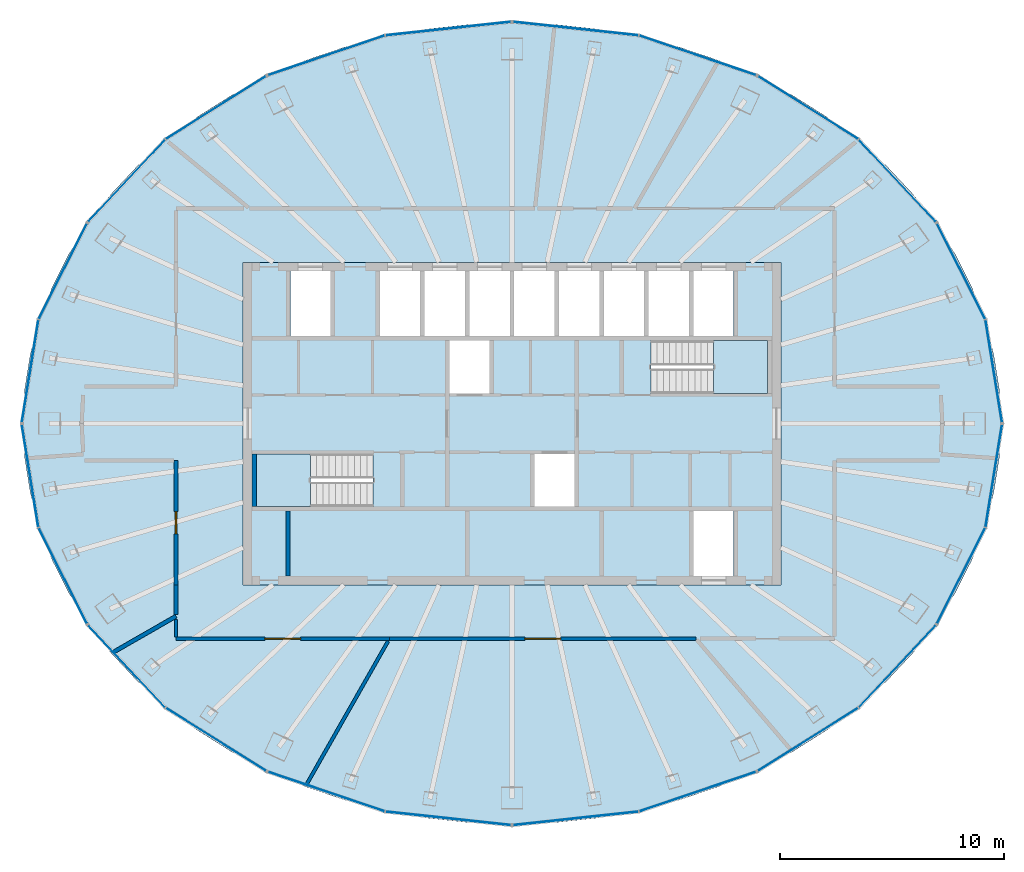
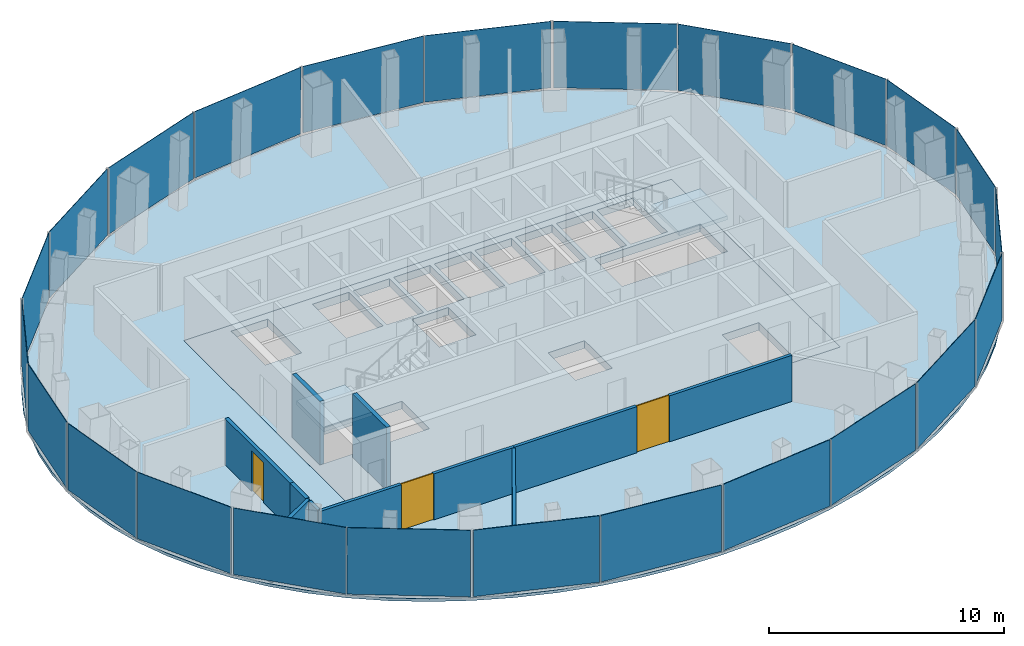
# One storey, part 7 of 11: 24 plates, 9 walls, 4 slabs, 3 doors, 3 openings, 14 elements without a shape of their own.
"""IFC4 building model written with IfcOpenShell, lengths in metres."""

from ifc_helpers import new_model, si_unit, direction, frame, frame_2d, origin, origin_2d, place, context, subcontext, project, spatial, polyline, rectangle, outline, extrude, material, layer, layer_set, type_object, element, fill, aggregate, save


model = new_model("IFC4")

# Units and contexts
model_context = context("Model", 3, precision=1e-05, world=origin(), true_north=direction((0.0, 1.0)))
body_context = subcontext(model_context, "Body", "Model", "MODEL_VIEW")
ifc_project = project(units=[si_unit("LENGTHUNIT", "METRE"), si_unit("AREAUNIT", "SQUARE_METRE"), si_unit("VOLUMEUNIT", "CUBIC_METRE"), si_unit("PLANEANGLEUNIT", "RADIAN"), si_unit("MASSUNIT", "GRAM", prefix="KILO")], contexts=[model_context])

# Site, building, storey
site_placement = place(None, origin())
site = spatial("IfcSite", under=ifc_project, at=site_placement, CompositionType="ELEMENT")
building_placement = place(site_placement, origin())
building = spatial("IfcBuilding", under=site, at=building_placement, Name="Siaravel Broadcast Tower", CompositionType="ELEMENT")
storey_placement = place(building_placement, frame((0.0, 0.0, 224.5)))
storey = spatial("IfcBuildingStorey", under=building, at=storey_placement, Name="L54", CompositionType="ELEMENT", Elevation=224.5)

# Curtain wall, plates
ifc_material_1 = material(Name="Aluminium 6063-T6", Category="aluminium")
ifc_layer_1 = layer(ifc_material_1, 0.159912109375)
ifc_layer_set_1 = layer_set([ifc_layer_1], Name="Aluminium 6063-T6")
curtain_wall_type = type_object("IfcCurtainWallType", Name="Unitised curtain wall, zone 4", PredefinedType="NOTDEFINED", material=ifc_layer_set_1)
curtain_wall_1_placement = place(storey_placement, origin())
curtain_wall_1 = element("IfcCurtainWall", 1, at=curtain_wall_1_placement, inside=storey, type_object=curtain_wall_type, Name="L54 Unitised curtain wall, zone 4 01", PredefinedType="NOTDEFINED")
ifc_material_2 = material(Name="Tinted insulated glass", Category="glass")
ifc_layer_2 = layer(ifc_material_2, 0.02587890625)
ifc_layer_set_2 = layer_set([ifc_layer_2], Name="Tinted insulated glass")
plate_type = type_object("IfcPlateType", Name="CW-Z4 glass panel", PredefinedType="CURTAIN_PANEL", material=ifc_layer_set_2)
plate_1_placement = place(storey_placement, frame((21.5107421875, 2.3359375, 0.090087890625), z_axis=(0.0, 0.0, 1.0), x_axis=(-0.158684943, 0.987329271, 0.0)))
plate_1 = element("IfcPlate", 2, at=plate_1_placement, type_object=plate_type, Name="CW-Z4 glass panel", PredefinedType="CURTAIN_PANEL", context=body_context, shape_type="SweptSolid", body=[
    extrude(rectangle(XDim=4.6220703125, YDim=0.02587890625, at=origin_2d()), origin(), (0.0, 0.0, 1.0), 3.4599609375),
])
plate_2_placement = place(storey_placement, frame((20.0517578125, 6.796142578125, 0.090087890625), z_axis=(0.0, 0.0, 1.0), x_axis=(-0.451259701, 0.892392673, 0.0)))
plate_2 = element("IfcPlate", 3, at=plate_2_placement, type_object=plate_type, Name="CW-Z4 glass panel", PredefinedType="CURTAIN_PANEL", context=body_context, shape_type="SweptSolid", body=[
    extrude(rectangle(XDim=4.766357421875, YDim=0.02587890625, at=origin_2d()), origin(), (0.0, 0.0, 1.0), 3.4599609375),
])
aggregate(curtain_wall_1, [plate_1, plate_2])

curtain_wall_2_placement = place(storey_placement, origin())
curtain_wall_2 = element("IfcCurtainWall", 4, at=curtain_wall_2_placement, inside=storey, type_object=curtain_wall_type, Name="L54 Unitised curtain wall, zone 4 02", PredefinedType="NOTDEFINED")
plate_3_placement = place(storey_placement, frame((17.202392578125, 10.839111328125, 0.090087890625), z_axis=(0.0, 0.0, 1.0), x_axis=(-0.68365411, 0.729806178, 0.0)))
plate_3 = element("IfcPlate", 5, at=plate_3_placement, type_object=plate_type, Name="CW-Z4 glass panel", PredefinedType="CURTAIN_PANEL", context=body_context, shape_type="SweptSolid", body=[
    extrude(rectangle(XDim=5.0068359375, YDim=0.02587890625, at=origin_2d()), origin(), (0.0, 0.0, 1.0), 3.4599609375),
])
plate_4_placement = place(storey_placement, frame((13.217529296875, 14.103515625, 0.090087890625), z_axis=(0.0, 0.0, 1.0), x_axis=(-0.84665001, 0.53215013, 0.0)))
plate_4 = element("IfcPlate", 6, at=plate_4_placement, type_object=plate_type, Name="CW-Z4 glass panel", PredefinedType="CURTAIN_PANEL", context=body_context, shape_type="SweptSolid", body=[
    extrude(rectangle(XDim=5.271240234375, YDim=0.02587890625, at=origin_2d()), origin(), (0.0, 0.0, 1.0), 3.4599609375),
])
aggregate(curtain_wall_2, [plate_3, plate_4])

curtain_wall_3_placement = place(storey_placement, origin())
curtain_wall_3 = element("IfcCurtainWall", 7, at=curtain_wall_3_placement, inside=storey, type_object=curtain_wall_type, Name="L54 Unitised curtain wall, zone 4 03", PredefinedType="NOTDEFINED")
plate_5_placement = place(storey_placement, frame((8.287841796875, 16.434814453125, 0.090087890625), z_axis=(0.0, 0.0, 1.0), x_axis=(-0.946977039, 0.321301242, 0.0)))
plate_5 = element("IfcPlate", 8, at=plate_5_placement, type_object=plate_type, Name="CW-Z4 glass panel", PredefinedType="CURTAIN_PANEL", context=body_context, shape_type="SweptSolid", body=[
    extrude(rectangle(XDim=5.489990234375, YDim=0.02587890625, at=origin_2d()), origin(), (0.0, 0.0, 1.0), 3.4599609375),
])
plate_6_placement = place(storey_placement, frame((2.8447265625, 17.62939453125, 0.090087890625), z_axis=(0.0, 0.0, 1.0), x_axis=(-0.994235568, 0.107217705, 0.0)))
plate_6 = element("IfcPlate", 9, at=plate_6_placement, type_object=plate_type, Name="CW-Z4 glass panel", PredefinedType="CURTAIN_PANEL", context=body_context, shape_type="SweptSolid", body=[
    extrude(rectangle(XDim=5.61279296875, YDim=0.02587890625, at=origin_2d()), origin(), (0.0, 0.0, 1.0), 3.4599609375),
])
aggregate(curtain_wall_3, [plate_5, plate_6])

curtain_wall_4_placement = place(storey_placement, origin())
curtain_wall_4 = element("IfcCurtainWall", 10, at=curtain_wall_4_placement, inside=storey, type_object=curtain_wall_type, Name="L54 Unitised curtain wall, zone 4 04", PredefinedType="NOTDEFINED")
plate_7_placement = place(storey_placement, frame((-2.8447265625, 17.62939453125, 0.090087890625), z_axis=(0.0, 0.0, 1.0), x_axis=(-0.994235568, -0.107217705, 0.0)))
plate_7 = element("IfcPlate", 11, at=plate_7_placement, type_object=plate_type, Name="CW-Z4 glass panel", PredefinedType="CURTAIN_PANEL", context=body_context, shape_type="SweptSolid", body=[
    extrude(rectangle(XDim=5.61279296875, YDim=0.02587890625, at=origin_2d()), origin(), (0.0, 0.0, 1.0), 3.4599609375),
])
plate_8_placement = place(storey_placement, frame((-8.287841796875, 16.434814453125, 0.090087890625), z_axis=(0.0, 0.0, 1.0), x_axis=(-0.946977039, -0.321301242, 0.0)))
plate_8 = element("IfcPlate", 12, at=plate_8_placement, type_object=plate_type, Name="CW-Z4 glass panel", PredefinedType="CURTAIN_PANEL", context=body_context, shape_type="SweptSolid", body=[
    extrude(rectangle(XDim=5.489990234375, YDim=0.02587890625, at=origin_2d()), origin(), (0.0, 0.0, 1.0), 3.4599609375),
])
aggregate(curtain_wall_4, [plate_7, plate_8])

curtain_wall_5_placement = place(storey_placement, origin())
curtain_wall_5 = element("IfcCurtainWall", 13, at=curtain_wall_5_placement, inside=storey, type_object=curtain_wall_type, Name="L54 Unitised curtain wall, zone 4 05", PredefinedType="NOTDEFINED")
plate_9_placement = place(storey_placement, frame((-13.217529296875, 14.103515625, 0.090087890625), z_axis=(0.0, 0.0, 1.0), x_axis=(-0.84665001, -0.53215013, 0.0)))
plate_9 = element("IfcPlate", 14, at=plate_9_placement, type_object=plate_type, Name="CW-Z4 glass panel", PredefinedType="CURTAIN_PANEL", context=body_context, shape_type="SweptSolid", body=[
    extrude(rectangle(XDim=5.271240234375, YDim=0.02587890625, at=origin_2d()), origin(), (0.0, 0.0, 1.0), 3.4599609375),
])
plate_10_placement = place(storey_placement, frame((-17.202392578125, 10.839111328125, 0.090087890625), z_axis=(0.0, 0.0, 1.0), x_axis=(-0.68365411, -0.729806178, 0.0)))
plate_10 = element("IfcPlate", 15, at=plate_10_placement, type_object=plate_type, Name="CW-Z4 glass panel", PredefinedType="CURTAIN_PANEL", context=body_context, shape_type="SweptSolid", body=[
    extrude(rectangle(XDim=5.0068359375, YDim=0.02587890625, at=origin_2d()), origin(), (0.0, 0.0, 1.0), 3.4599609375),
])
aggregate(curtain_wall_5, [plate_9, plate_10])

curtain_wall_6_placement = place(storey_placement, origin())
curtain_wall_6 = element("IfcCurtainWall", 16, at=curtain_wall_6_placement, inside=storey, type_object=curtain_wall_type, Name="L54 Unitised curtain wall, zone 4 06", PredefinedType="NOTDEFINED")
plate_11_placement = place(storey_placement, frame((-20.0517578125, 6.796142578125, 0.090087890625), z_axis=(0.0, 0.0, 1.0), x_axis=(-0.451259701, -0.892392673, 0.0)))
plate_11 = element("IfcPlate", 17, at=plate_11_placement, type_object=plate_type, Name="CW-Z4 glass panel", PredefinedType="CURTAIN_PANEL", context=body_context, shape_type="SweptSolid", body=[
    extrude(rectangle(XDim=4.766357421875, YDim=0.02587890625, at=origin_2d()), origin(), (0.0, 0.0, 1.0), 3.4599609375),
])
plate_12_placement = place(storey_placement, frame((-21.5107421875, 2.3359375, 0.090087890625), z_axis=(0.0, 0.0, 1.0), x_axis=(-0.158684943, -0.987329271, 0.0)))
plate_12 = element("IfcPlate", 18, at=plate_12_placement, type_object=plate_type, Name="CW-Z4 glass panel", PredefinedType="CURTAIN_PANEL", context=body_context, shape_type="SweptSolid", body=[
    extrude(rectangle(XDim=4.6220703125, YDim=0.02587890625, at=origin_2d()), origin(), (0.0, 0.0, 1.0), 3.4599609375),
])
aggregate(curtain_wall_6, [plate_11, plate_12])

curtain_wall_7_placement = place(storey_placement, origin())
curtain_wall_7 = element("IfcCurtainWall", 19, at=curtain_wall_7_placement, inside=storey, type_object=curtain_wall_type, Name="L54 Unitised curtain wall, zone 4 07", PredefinedType="NOTDEFINED")
plate_13_placement = place(storey_placement, frame((-21.5107421875, -2.3359375, 0.090087890625), z_axis=(0.0, 0.0, 1.0), x_axis=(0.158684943, -0.987329271, 0.0)))
plate_13 = element("IfcPlate", 20, at=plate_13_placement, type_object=plate_type, Name="CW-Z4 glass panel", PredefinedType="CURTAIN_PANEL", context=body_context, shape_type="SweptSolid", body=[
    extrude(rectangle(XDim=4.6220703125, YDim=0.02587890625, at=origin_2d()), origin(), (0.0, 0.0, 1.0), 3.4599609375),
])
plate_14_placement = place(storey_placement, frame((-20.0517578125, -6.796142578125, 0.090087890625), z_axis=(0.0, 0.0, 1.0), x_axis=(0.451259701, -0.892392673, 0.0)))
plate_14 = element("IfcPlate", 21, at=plate_14_placement, type_object=plate_type, Name="CW-Z4 glass panel", PredefinedType="CURTAIN_PANEL", context=body_context, shape_type="SweptSolid", body=[
    extrude(rectangle(XDim=4.766357421875, YDim=0.02587890625, at=origin_2d()), origin(), (0.0, 0.0, 1.0), 3.4599609375),
])
aggregate(curtain_wall_7, [plate_13, plate_14])

curtain_wall_8_placement = place(storey_placement, origin())
curtain_wall_8 = element("IfcCurtainWall", 22, at=curtain_wall_8_placement, inside=storey, type_object=curtain_wall_type, Name="L54 Unitised curtain wall, zone 4 08", PredefinedType="NOTDEFINED")
plate_15_placement = place(storey_placement, frame((-17.202392578125, -10.839111328125, 0.090087890625), z_axis=(0.0, 0.0, 1.0), x_axis=(0.68365411, -0.729806178, 0.0)))
plate_15 = element("IfcPlate", 23, at=plate_15_placement, type_object=plate_type, Name="CW-Z4 glass panel", PredefinedType="CURTAIN_PANEL", context=body_context, shape_type="SweptSolid", body=[
    extrude(rectangle(XDim=5.0068359375, YDim=0.02587890625, at=origin_2d()), origin(), (0.0, 0.0, 1.0), 3.4599609375),
])
plate_16_placement = place(storey_placement, frame((-13.217529296875, -14.103515625, 0.090087890625), z_axis=(0.0, 0.0, 1.0), x_axis=(0.84665001, -0.53215013, 0.0)))
plate_16 = element("IfcPlate", 24, at=plate_16_placement, type_object=plate_type, Name="CW-Z4 glass panel", PredefinedType="CURTAIN_PANEL", context=body_context, shape_type="SweptSolid", body=[
    extrude(rectangle(XDim=5.271240234375, YDim=0.02587890625, at=origin_2d()), origin(), (0.0, 0.0, 1.0), 3.4599609375),
])
aggregate(curtain_wall_8, [plate_15, plate_16])

curtain_wall_9_placement = place(storey_placement, origin())
curtain_wall_9 = element("IfcCurtainWall", 25, at=curtain_wall_9_placement, inside=storey, type_object=curtain_wall_type, Name="L54 Unitised curtain wall, zone 4 09", PredefinedType="NOTDEFINED")
plate_17_placement = place(storey_placement, frame((-8.287841796875, -16.434814453125, 0.090087890625), z_axis=(0.0, 0.0, 1.0), x_axis=(0.946977039, -0.321301242, 0.0)))
plate_17 = element("IfcPlate", 26, at=plate_17_placement, type_object=plate_type, Name="CW-Z4 glass panel", PredefinedType="CURTAIN_PANEL", context=body_context, shape_type="SweptSolid", body=[
    extrude(rectangle(XDim=5.489990234375, YDim=0.02587890625, at=origin_2d()), origin(), (0.0, 0.0, 1.0), 3.4599609375),
])
plate_18_placement = place(storey_placement, frame((-2.8447265625, -17.62939453125, 0.090087890625), z_axis=(0.0, 0.0, 1.0), x_axis=(0.994235568, -0.107217705, 0.0)))
plate_18 = element("IfcPlate", 27, at=plate_18_placement, type_object=plate_type, Name="CW-Z4 glass panel", PredefinedType="CURTAIN_PANEL", context=body_context, shape_type="SweptSolid", body=[
    extrude(rectangle(XDim=5.61279296875, YDim=0.02587890625, at=origin_2d()), origin(), (0.0, 0.0, 1.0), 3.4599609375),
])
aggregate(curtain_wall_9, [plate_17, plate_18])

curtain_wall_10_placement = place(storey_placement, origin())
curtain_wall_10 = element("IfcCurtainWall", 28, at=curtain_wall_10_placement, inside=storey, type_object=curtain_wall_type, Name="L54 Unitised curtain wall, zone 4 10", PredefinedType="NOTDEFINED")
plate_19_placement = place(storey_placement, frame((2.8447265625, -17.62939453125, 0.090087890625), z_axis=(0.0, 0.0, 1.0), x_axis=(0.994235568, 0.107217705, 0.0)))
plate_19 = element("IfcPlate", 29, at=plate_19_placement, type_object=plate_type, Name="CW-Z4 glass panel", PredefinedType="CURTAIN_PANEL", context=body_context, shape_type="SweptSolid", body=[
    extrude(rectangle(XDim=5.61279296875, YDim=0.02587890625, at=origin_2d()), origin(), (0.0, 0.0, 1.0), 3.4599609375),
])
plate_20_placement = place(storey_placement, frame((8.287841796875, -16.434814453125, 0.090087890625), z_axis=(0.0, 0.0, 1.0), x_axis=(0.946977039, 0.321301242, 0.0)))
plate_20 = element("IfcPlate", 30, at=plate_20_placement, type_object=plate_type, Name="CW-Z4 glass panel", PredefinedType="CURTAIN_PANEL", context=body_context, shape_type="SweptSolid", body=[
    extrude(rectangle(XDim=5.489990234375, YDim=0.02587890625, at=origin_2d()), origin(), (0.0, 0.0, 1.0), 3.4599609375),
])
aggregate(curtain_wall_10, [plate_19, plate_20])

curtain_wall_11_placement = place(storey_placement, origin())
curtain_wall_11 = element("IfcCurtainWall", 31, at=curtain_wall_11_placement, inside=storey, type_object=curtain_wall_type, Name="L54 Unitised curtain wall, zone 4 11", PredefinedType="NOTDEFINED")
plate_21_placement = place(storey_placement, frame((13.217529296875, -14.103515625, 0.090087890625), z_axis=(0.0, 0.0, 1.0), x_axis=(0.84665001, 0.53215013, 0.0)))
plate_21 = element("IfcPlate", 32, at=plate_21_placement, type_object=plate_type, Name="CW-Z4 glass panel", PredefinedType="CURTAIN_PANEL", context=body_context, shape_type="SweptSolid", body=[
    extrude(rectangle(XDim=5.271240234375, YDim=0.02587890625, at=origin_2d()), origin(), (0.0, 0.0, 1.0), 3.4599609375),
])
plate_22_placement = place(storey_placement, frame((17.202392578125, -10.839111328125, 0.090087890625), z_axis=(0.0, 0.0, 1.0), x_axis=(0.68365411, 0.729806178, 0.0)))
plate_22 = element("IfcPlate", 33, at=plate_22_placement, type_object=plate_type, Name="CW-Z4 glass panel", PredefinedType="CURTAIN_PANEL", context=body_context, shape_type="SweptSolid", body=[
    extrude(rectangle(XDim=5.0068359375, YDim=0.02587890625, at=origin_2d()), origin(), (0.0, 0.0, 1.0), 3.4599609375),
])
aggregate(curtain_wall_11, [plate_21, plate_22])

curtain_wall_12_placement = place(storey_placement, origin())
curtain_wall_12 = element("IfcCurtainWall", 34, at=curtain_wall_12_placement, inside=storey, type_object=curtain_wall_type, Name="L54 Unitised curtain wall, zone 4 12", PredefinedType="NOTDEFINED")
plate_23_placement = place(storey_placement, frame((20.0517578125, -6.796142578125, 0.090087890625), z_axis=(0.0, 0.0, 1.0), x_axis=(0.451259701, 0.892392673, 0.0)))
plate_23 = element("IfcPlate", 35, at=plate_23_placement, type_object=plate_type, Name="CW-Z4 glass panel", PredefinedType="CURTAIN_PANEL", context=body_context, shape_type="SweptSolid", body=[
    extrude(rectangle(XDim=4.766357421875, YDim=0.02587890625, at=origin_2d()), origin(), (0.0, 0.0, 1.0), 3.4599609375),
])
plate_24_placement = place(storey_placement, frame((21.5107421875, -2.3359375, 0.090087890625), z_axis=(0.0, 0.0, 1.0), x_axis=(0.158684943, 0.987329271, 0.0)))
plate_24 = element("IfcPlate", 36, at=plate_24_placement, type_object=plate_type, Name="CW-Z4 glass panel", PredefinedType="CURTAIN_PANEL", context=body_context, shape_type="SweptSolid", body=[
    extrude(rectangle(XDim=4.6220703125, YDim=0.02587890625, at=origin_2d()), origin(), (0.0, 0.0, 1.0), 3.4599609375),
])
aggregate(curtain_wall_12, [plate_23, plate_24])

# Slabs
ifc_material_3 = material(Name="Concrete C40/50", Category="concrete")
ifc_layer_3 = layer(ifc_material_3, 0.39990234375)
ifc_layer_set_3 = layer_set([ifc_layer_3], Name="Concrete C40/50")
slab_type_1 = type_object("IfcSlabType", Name="Core floor slab 400", PredefinedType="FLOOR", material=ifc_layer_set_3)
slab_1_placement = place(storey_placement, frame((0.0, 0.0, -0.39990234375)))
element("IfcSlab", 37, at=slab_1_placement, inside=storey, type_object=slab_type_1, Name="L54 core floor", PredefinedType="FLOOR", context=body_context, shape_type="SweptSolid", body=[
    extrude(outline(polyline([(-12.0, -7.199951171875), (-12.0, 7.199951171875), (12.0, 7.199951171875), (12.0, -7.199951171875), (-12.0, -7.199951171875)]), holes=[polyline([(11.3994140625, 1.3505859375), (11.3994140625, 3.699462890625), (6.200439453125, 3.699462890625), (6.200439453125, 1.3505859375), (11.3994140625, 1.3505859375)]), polyline([(8.10009765625, -3.89990234375), (8.10009765625, -6.800048828125), (9.89990234375, -6.800048828125), (9.89990234375, -3.89990234375), (8.10009765625, -3.89990234375)]), polyline([(9.89990234375, 6.800048828125), (8.10009765625, 6.800048828125), (8.10009765625, 3.89990234375), (9.89990234375, 3.89990234375), (9.89990234375, 6.800048828125)]), polyline([(7.89990234375, 6.800048828125), (6.10009765625, 6.800048828125), (6.10009765625, 3.89990234375), (7.89990234375, 3.89990234375), (7.89990234375, 6.800048828125)]), polyline([(5.89990234375, 6.800048828125), (4.10009765625, 6.800048828125), (4.10009765625, 3.89990234375), (5.89990234375, 3.89990234375), (5.89990234375, 6.800048828125)]), polyline([(3.89990234375, 6.800048828125), (2.10009765625, 6.800048828125), (2.10009765625, 3.89990234375), (3.89990234375, 3.89990234375), (3.89990234375, 6.800048828125)]), polyline([(2.800048828125, -1.35009765625), (1.0, -1.35009765625), (1.0, -3.699951171875), (2.800048828125, -3.699951171875), (2.800048828125, -1.35009765625)]), polyline([(1.89990234375, 6.800048828125), (0.10009765625, 6.800048828125), (0.10009765625, 3.89990234375), (1.89990234375, 3.89990234375), (1.89990234375, 6.800048828125)]), polyline([(-0.10009765625, 6.800048828125), (-1.89990234375, 6.800048828125), (-1.89990234375, 3.89990234375), (-0.10009765625, 3.89990234375), (-0.10009765625, 6.800048828125)]), polyline([(-1.0, 3.699951171875), (-2.800048828125, 3.699951171875), (-2.800048828125, 1.35009765625), (-1.0, 1.35009765625), (-1.0, 3.699951171875)]), polyline([(-2.10009765625, 6.800048828125), (-3.89990234375, 6.800048828125), (-3.89990234375, 3.89990234375), (-2.10009765625, 3.89990234375), (-2.10009765625, 6.800048828125)]), polyline([(-4.10009765625, 6.800048828125), (-5.89990234375, 6.800048828125), (-5.89990234375, 3.89990234375), (-4.10009765625, 3.89990234375), (-4.10009765625, 6.800048828125)]), polyline([(-11.3994140625, -3.699462890625), (-6.200439453125, -3.699462890625), (-6.200439453125, -1.3505859375), (-11.3994140625, -1.3505859375), (-11.3994140625, -3.699462890625)]), polyline([(-8.10009765625, 6.800048828125), (-9.89990234375, 6.800048828125), (-9.89990234375, 3.89990234375), (-8.10009765625, 3.89990234375), (-8.10009765625, 6.800048828125)])]), origin(), (0.0, 0.0, 1.0), 0.39990234375),
])
ifc_layer_4 = layer(ifc_material_3, 0.14990234375)
ifc_layer_set_4 = layer_set([ifc_layer_4], Name="Concrete C40/50")
slab_type_2 = type_object("IfcSlabType", Name="SLB-FLOOR-150", PredefinedType="FLOOR", material=ifc_layer_set_4)
slab_2_placement = place(storey_placement, frame((0.0, 0.0, -0.14990234375)))
element("IfcSlab", 38, at=slab_2_placement, inside=storey, type_object=slab_type_2, Name="Floor slab", PredefinedType="FLOOR", context=body_context, shape_type="SweptSolid", body=[
    extrude(outline(polyline([(21.836181640625, 0.0), (21.753173828125, 1.558837890625), (21.50439453125, 3.10595703125), (21.092041015625, 4.62939453125), (20.519287109375, 6.117431640625), (19.790283203125, 7.55908203125), (18.91064453125, 8.943115234375), (17.88720703125, 10.25927734375), (16.7275390625, 11.4970703125), (15.4404296875, 12.6474609375), (14.035888671875, 13.70166015625), (12.524658203125, 14.651611328125), (10.918212890625, 15.489990234375), (9.228515625, 16.21044921875), (7.468505859375, 16.8076171875), (5.651611328125, 17.27685546875), (3.791748046875, 17.614501953125), (1.9033203125, 17.818115234375), (0.0, 17.88623046875), (-1.9033203125, 17.818115234375), (-3.791748046875, 17.614501953125), (-5.651611328125, 17.27685546875), (-7.468505859375, 16.8076171875), (-9.228515625, 16.21044921875), (-10.918212890625, 15.489990234375), (-12.524658203125, 14.651611328125), (-14.035888671875, 13.70166015625), (-15.4404296875, 12.6474609375), (-16.7275390625, 11.4970703125), (-17.88720703125, 10.25927734375), (-18.91064453125, 8.943115234375), (-19.790283203125, 7.55908203125), (-20.519287109375, 6.117431640625), (-21.092041015625, 4.62939453125), (-21.50439453125, 3.10595703125), (-21.753173828125, 1.558837890625), (-21.836181640625, 0.0), (-21.753173828125, -1.558837890625), (-21.50439453125, -3.10595703125), (-21.092041015625, -4.62939453125), (-20.519287109375, -6.117431640625), (-19.790283203125, -7.55908203125), (-18.91064453125, -8.943115234375), (-17.88720703125, -10.25927734375), (-16.7275390625, -11.4970703125), (-15.4404296875, -12.6474609375), (-14.035888671875, -13.70166015625), (-12.524658203125, -14.651611328125), (-10.918212890625, -15.489990234375), (-9.228515625, -16.21044921875), (-7.468505859375, -16.8076171875), (-5.651611328125, -17.27685546875), (-3.791748046875, -17.614501953125), (-1.9033203125, -17.818115234375), (0.0, -17.88623046875), (1.9033203125, -17.818115234375), (3.791748046875, -17.614501953125), (5.651611328125, -17.27685546875), (7.468505859375, -16.8076171875), (9.228515625, -16.21044921875), (10.918212890625, -15.489990234375), (12.524658203125, -14.651611328125), (14.035888671875, -13.70166015625), (15.4404296875, -12.6474609375), (16.7275390625, -11.4970703125), (17.88720703125, -10.25927734375), (18.91064453125, -8.943115234375), (19.790283203125, -7.55908203125), (20.519287109375, -6.117431640625), (21.092041015625, -4.62939453125), (21.50439453125, -3.10595703125), (21.753173828125, -1.558837890625), (21.836181640625, 0.0)]), holes=[polyline([(-12.0, 7.199951171875), (12.0, 7.199951171875), (12.0, -7.199951171875), (-12.0, -7.199951171875), (-12.0, 7.199951171875)])]), origin(), (0.0, 0.0, 1.0), 0.14990234375),
])

# Stair, slab
stair_type = type_object("IfcStairType", Name="Core exit stair", PredefinedType="HALF_TURN_STAIR", material=ifc_material_3)
stair_1_placement = place(storey_placement, origin())
stair_1 = element("IfcStair", 39, at=stair_1_placement, inside=storey, type_object=stair_type, Name="L54 Exit stair ST-1", PredefinedType="HALF_TURN_STAIR")
ifc_layer_5 = layer(ifc_material_3, 0.199951171875)
ifc_layer_set_5 = layer_set([ifc_layer_5], Name="Concrete C40/50")
slab_type_3 = type_object("IfcSlabType", Name="Stair landing", PredefinedType="LANDING", material=ifc_layer_set_5)
slab_3_placement = place(storey_placement, frame((0.0, 0.0, 1.64990234375)))
slab_3 = element("IfcSlab", 40, at=slab_3_placement, type_object=slab_type_3, Name="ST-1 landing 1", PredefinedType="LANDING", context=body_context, shape_type="SweptSolid", body=[
    extrude(outline(polyline([(-9.0, -1.35009765625), (-11.39990234375, -1.35009765625), (-11.39990234375, -3.699951171875), (-9.0, -3.699951171875), (-9.0, -1.35009765625)])), origin(), (0.0, 0.0, 1.0), 0.2001953125),
])
aggregate(stair_1, [slab_3])

stair_2_placement = place(storey_placement, origin())
stair_2 = element("IfcStair", 41, at=stair_2_placement, inside=storey, type_object=stair_type, Name="L54 Exit stair ST-2", PredefinedType="HALF_TURN_STAIR")
slab_4_placement = place(storey_placement, frame((0.0, 0.0, 1.64990234375)))
slab_4 = element("IfcSlab", 42, at=slab_4_placement, type_object=slab_type_3, Name="ST-2 landing 1", PredefinedType="LANDING", context=body_context, shape_type="SweptSolid", body=[
    extrude(outline(polyline([(9.0, 1.35009765625), (11.39990234375, 1.35009765625), (11.39990234375, 3.699951171875), (9.0, 3.699951171875), (9.0, 1.35009765625)])), origin(), (0.0, 0.0, 1.0), 0.2001953125),
])
aggregate(stair_2, [slab_4])

# Wall, opening, door
ifc_material_4 = material(Name="Gypsum board partition", Category="gypsum")
ifc_layer_6 = layer(ifc_material_4, 0.14990234375)
ifc_layer_set_6 = layer_set([ifc_layer_6], Name="Gypsum board partition")
wall_type_1 = type_object("IfcWallType", Name="Corridor wall 150", PredefinedType="PARTITIONING", material=ifc_layer_set_6)
wall_1_placement = place(storey_placement, frame((-5.465087890625, -9.60009765625, 0.0), z_axis=(0.0, 0.0, 1.0), x_axis=(1.0, 0.0, 0.0)))
wall_1 = element("IfcWall", 43, at=wall_1_placement, inside=storey, type_object=wall_type_1, Name="L54 partition 1", PredefinedType="PARTITIONING", context=body_context, shape_type="SweptSolid", body=[
    extrude(rectangle(XDim=13.67138671875, YDim=0.14990234375, at=frame_2d((6.835693359375, 0.0))), origin(), (0.0, 0.0, 1.0), 2.39990234375),
])
opening_1_placement = place(wall_1_placement, frame((6.035888671875, 0.0, 0.0)))
opening_1 = element("IfcOpeningElement", 44, at=opening_1_placement, cuts=wall_1, Name="Opening L54-001", PredefinedType="OPENING", context=body_context, shape_type="SweptSolid", body=[
    extrude(rectangle(XDim=1.60009765625, YDim=2.39990234375, at=frame_2d((0.800048828125, 1.199951171875))), frame((0.0, 0.0849609375, 0.0), z_axis=(0.0, -1.0, 0.0), x_axis=(1.0, 0.0, 0.0)), (0.0, 0.0, 1.0), 0.169921875),
])
ifc_material_5 = material(Name="Timber veneer", Category="wood")
door_type_1 = type_object("IfcDoorType", Name="Restaurant double door 1600", OperationType="DOUBLE_DOOR_SINGLE_SWING", PredefinedType="DOOR", material=ifc_material_5)
door_1_placement = place(opening_1_placement, origin())
door_1 = element("IfcDoor", 45, at=door_1_placement, inside=storey, type_object=door_type_1, Name="L54 door to Restaurant", OperationType="DOUBLE_DOOR_SINGLE_SWING", OverallHeight=2.39990234375, OverallWidth=1.60009765625, PredefinedType="DOOR", context=body_context, shape_type="SweptSolid", body=[
    extrude(rectangle(XDim=1.60009765625, YDim=2.39990234375, at=frame_2d((0.800048828125, 1.199951171875))), frame((0.0, 0.02490234375, 0.0), z_axis=(0.0, -1.0, 0.0), x_axis=(1.0, 0.0, 0.0)), (0.0, 0.0, 1.0), 0.050048828125),
])
fill(opening_1, door_1)

wall_2_placement = place(storey_placement, frame((-15.0, -9.60009765625, 0.0), z_axis=(0.0, 0.0, 1.0), x_axis=(1.0, 0.0, 0.0)))
wall_2 = element("IfcWall", 46, at=wall_2_placement, inside=storey, type_object=wall_type_1, Name="L54 partition 3", PredefinedType="PARTITIONING", context=body_context, shape_type="SweptSolid", body=[
    extrude(rectangle(XDim=9.533935546875, YDim=0.14990234375, at=frame_2d((4.76708984375, 0.0))), origin(), (0.0, 0.0, 1.0), 2.39990234375),
])
opening_2_placement = place(wall_2_placement, frame((3.966796875, 0.0, 0.0)))
opening_2 = element("IfcOpeningElement", 47, at=opening_2_placement, cuts=wall_2, Name="Opening L54-009", PredefinedType="OPENING", context=body_context, shape_type="SweptSolid", body=[
    extrude(rectangle(XDim=1.60009765625, YDim=2.39990234375, at=frame_2d((0.800048828125, 1.199951171875))), frame((0.0, 0.0849609375, 0.0), z_axis=(0.0, -1.0, 0.0), x_axis=(1.0, 0.0, 0.0)), (0.0, 0.0, 1.0), 0.169921875),
])
door_2_placement = place(opening_2_placement, origin())
door_2 = element("IfcDoor", 48, at=door_2_placement, inside=storey, type_object=door_type_1, Name="L54 door to Lounge", OperationType="DOUBLE_DOOR_SINGLE_SWING", OverallHeight=2.39990234375, OverallWidth=1.60009765625, PredefinedType="DOOR", context=body_context, shape_type="SweptSolid", body=[
    extrude(rectangle(XDim=1.60009765625, YDim=2.39990234375, at=frame_2d((0.800048828125, 1.199951171875))), frame((0.0, 0.02490234375, 0.0), z_axis=(0.0, -1.0, 0.0), x_axis=(1.0, 0.0, 0.0)), (0.0, 0.0, 1.0), 0.050048828125),
])
fill(opening_2, door_2)

# Walls
wall_3_placement = place(storey_placement, frame((-15.0, -8.751953125, 0.0), z_axis=(0.0, 0.0, 1.0), x_axis=(0.0, -1.0, 0.0)))
element("IfcWall", 49, at=wall_3_placement, inside=storey, type_object=wall_type_1, Name="L54 partition 34", PredefinedType="PARTITIONING", context=body_context, shape_type="SweptSolid", body=[
    extrude(rectangle(XDim=0.77099609375, YDim=0.14990234375, at=frame_2d((0.385498046875, 0.0))), origin(), (0.0, 0.0, 1.0), 2.39990234375),
])
ifc_layer_7 = layer(ifc_material_4, 0.14990234375)
ifc_layer_set_7 = layer_set([ifc_layer_7], Name="Gypsum board partition")
wall_type_2 = type_object("IfcWallType", Name="Room partition 150", PredefinedType="PARTITIONING", material=ifc_layer_set_7)
wall_4_placement = place(storey_placement, frame((-5.52978515625, -9.7138671875, 0.0), z_axis=(0.0, 0.0, 1.0), x_axis=(-0.494743906, -0.869038818, 0.0)))
element("IfcWall", 50, at=wall_4_placement, inside=storey, type_object=wall_type_2, Name="L54 partition 6", PredefinedType="PARTITIONING", context=body_context, shape_type="SweptSolid", body=[
    extrude(rectangle(XDim=7.353759765625, YDim=0.14990234375, at=frame_2d((3.6767578125, 0.0))), origin(), (0.0, 0.0, 1.0), 2.39990234375),
])

# Wall, opening, door
ifc_material_6 = material(Name="Concrete blockwork", Category="masonry")
ifc_layer_8 = layer(ifc_material_6, 0.179931640625)
ifc_layer_set_8 = layer_set([ifc_layer_8], Name="Concrete blockwork")
wall_type_3 = type_object("IfcWallType", Name="Service room fire partition 180", PredefinedType="PARTITIONING", material=ifc_layer_set_8)
wall_5_placement = place(storey_placement, frame((-15.0, -1.64990234375, 0.0), z_axis=(0.0, 0.0, 1.0), x_axis=(0.0, -1.0, 0.0)))
wall_5 = element("IfcWall", 51, at=wall_5_placement, inside=storey, type_object=wall_type_3, Name="L54 partition 10", PredefinedType="PARTITIONING", context=body_context, shape_type="SweptSolid", body=[
    extrude(rectangle(XDim=5.56201171875, YDim=0.179931640625, at=frame_2d((2.781005859375, 0.0))), origin(), (0.0, 0.0, 1.0), 2.39990234375),
])
opening_3_placement = place(wall_5_placement, frame((2.281005859375, 0.0, 0.0)))
opening_3 = element("IfcOpeningElement", 52, at=opening_3_placement, cuts=wall_5, Name="Opening L54-008", PredefinedType="OPENING", context=body_context, shape_type="SweptSolid", body=[
    extrude(rectangle(XDim=1.0, YDim=2.10009765625, at=frame_2d((0.5, 1.050048828125))), frame((0.0, 0.099853515625, 0.0), z_axis=(0.0, -1.0, 0.0), x_axis=(1.0, 0.0, 0.0)), (0.0, 0.0, 1.0), 0.199951171875),
])
ifc_material_7 = material(Name="Steel", Category="steel")
door_type_2 = type_object("IfcDoorType", Name="Service room door 1000", OperationType="SINGLE_SWING_LEFT", PredefinedType="DOOR", material=ifc_material_7)
door_3_placement = place(opening_3_placement, origin())
door_3 = element("IfcDoor", 53, at=door_3_placement, inside=storey, type_object=door_type_2, Name="L54 door to Library", OperationType="SINGLE_SWING_RIGHT", OverallHeight=2.10009765625, OverallWidth=1.0, PredefinedType="DOOR", context=body_context, shape_type="SweptSolid", body=[
    extrude(rectangle(XDim=1.0, YDim=2.10009765625, at=frame_2d((0.5, 1.050048828125))), frame((0.0, 0.02490234375, 0.0), z_axis=(0.0, -1.0, 0.0), x_axis=(1.0, 0.0, 0.0)), (0.0, 0.0, 1.0), 0.050048828125),
])
fill(opening_3, door_3)

# Walls
wall_6_placement = place(storey_placement, frame((-17.7802734375, -10.197998046875, 0.0), z_axis=(0.0, 0.0, 1.0), x_axis=(0.867435755, 0.497549205, 0.0)))
element("IfcWall", 54, at=wall_6_placement, inside=storey, type_object=wall_type_3, Name="L54 partition 22", PredefinedType="PARTITIONING", context=body_context, shape_type="SweptSolid", body=[
    extrude(rectangle(XDim=3.205078125, YDim=0.179931640625, at=frame_2d((1.6025390625, 0.0))), origin(), (0.0, 0.0, 1.0), 2.39990234375),
])
wall_7_placement = place(storey_placement, frame((-15.0, -7.212890625, 0.0), z_axis=(0.0, 0.0, 1.0), x_axis=(0.0, -1.0, 0.0)))
element("IfcWall", 55, at=wall_7_placement, inside=storey, type_object=wall_type_3, Name="L54 partition 29", PredefinedType="PARTITIONING", context=body_context, shape_type="SweptSolid", body=[
    extrude(rectangle(XDim=1.310302734375, YDim=0.179931640625, at=frame_2d((0.6552734375, 0.0))), origin(), (0.0, 0.0, 1.0), 2.39990234375),
])
ifc_material_8 = material(Name="Concrete C60/75", Category="concrete")
ifc_layer_9 = layer(ifc_material_8, 0.199951171875)
ifc_layer_set_9 = layer_set([ifc_layer_9], Name="Concrete C60/75")
wall_type_4 = type_object("IfcWallType", Name="Shaft wall 200", PredefinedType="SHEAR", material=ifc_layer_set_9)
wall_8_placement = place(storey_placement, frame((-10.0, -6.800048828125, 0.0), z_axis=(0.0, 0.0, 1.0), x_axis=(0.0, 1.0, 0.0)))
element("IfcWall", 56, at=wall_8_placement, inside=storey, type_object=wall_type_4, Name="L54 core wall SWS0", PredefinedType="SHEAR", context=body_context, shape_type="SweptSolid", body=[
    extrude(rectangle(XDim=2.900146484375, YDim=0.199951171875, at=frame_2d((1.4501953125, 0.0))), origin(), (0.0, 0.0, 1.0), 3.300048828125),
])
wall_9_placement = place(storey_placement, frame((-11.5, -3.699951171875, 0.0), z_axis=(0.0, 0.0, 1.0), x_axis=(0.0, 1.0, 0.0)))
element("IfcWall", 57, at=wall_9_placement, inside=storey, type_object=wall_type_4, Name="L54 core wall ST1W", PredefinedType="SHEAR", context=body_context, shape_type="SweptSolid", body=[
    extrude(rectangle(XDim=2.349853515625, YDim=0.199951171875, at=frame_2d((1.1748046875, 0.0))), origin(), (0.0, 0.0, 1.0), 3.300048828125),
])

save(model, "model.ifc")
